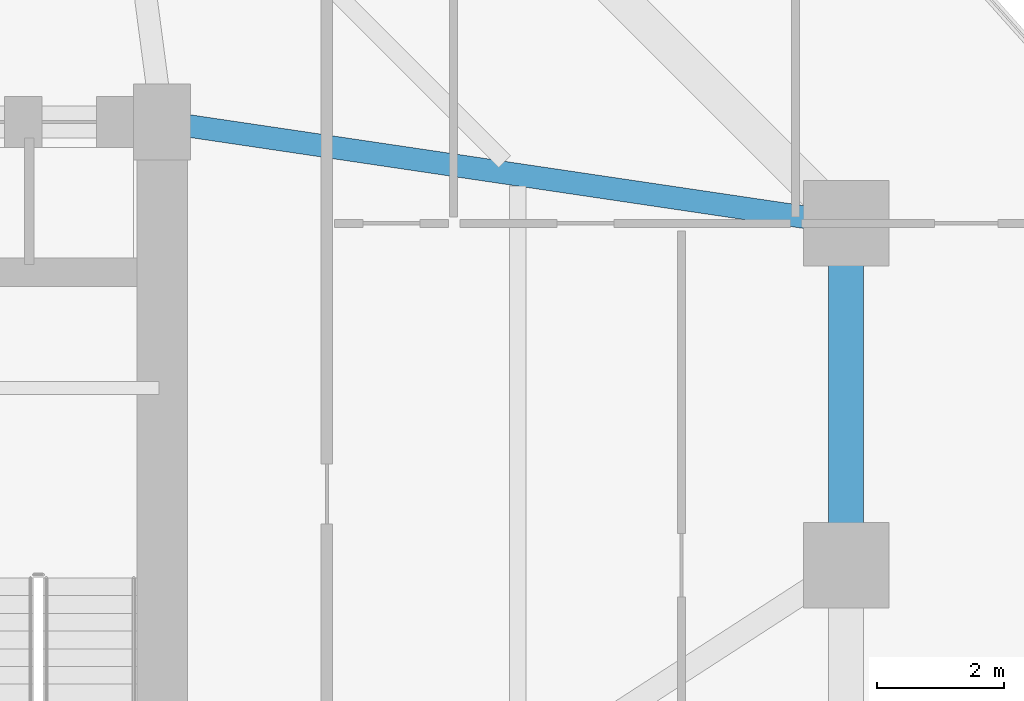
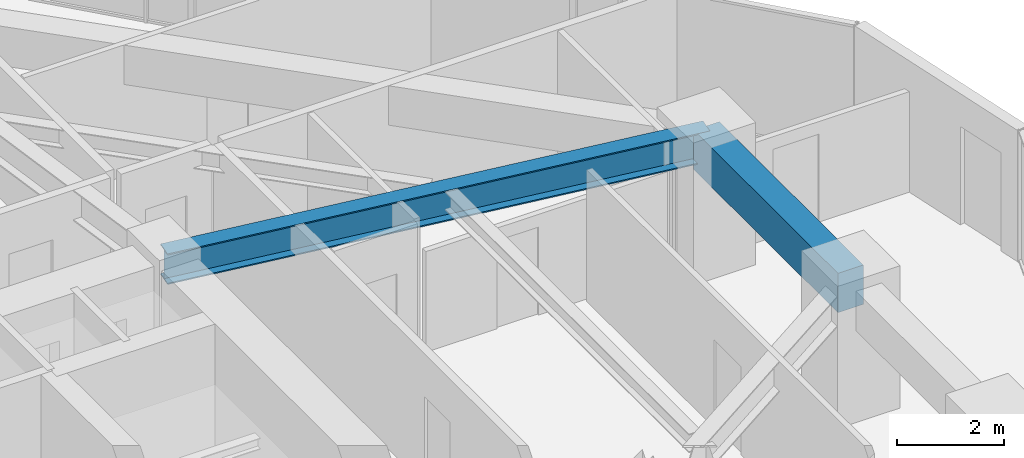
# One storey, part 19 of 38: 2 beams.
"""IFC4 building model written with IfcOpenShell, lengths in metres."""

from ifc_helpers import new_model, si_unit, direction, frame, origin, origin_2d, place, context, subcontext, project, spatial, rectangle, i_section, extrude, material, material_profile, profile_set, type_object, element, save


model = new_model("IFC4")

# Units and contexts
model_context = context("Model", 3, precision=1e-05, world=origin(), true_north=direction((0.0, 1.0)))
body_context = subcontext(model_context, "Body", "Model", "MODEL_VIEW")
ifc_project = project(units=[si_unit("LENGTHUNIT", "METRE"), si_unit("AREAUNIT", "SQUARE_METRE"), si_unit("VOLUMEUNIT", "CUBIC_METRE"), si_unit("PLANEANGLEUNIT", "RADIAN"), si_unit("MASSUNIT", "GRAM", prefix="KILO")], contexts=[model_context])

# Site, building, storey
site_placement = place(None, origin())
site = spatial("IfcSite", under=ifc_project, at=site_placement, CompositionType="ELEMENT")
building_placement = place(site_placement, origin())
building = spatial("IfcBuilding", under=site, at=building_placement, Name="Veraguas Prism Commons", CompositionType="ELEMENT")
storey_placement = place(building_placement, frame((0.0, 0.0, 64.10009765625)))
storey = spatial("IfcBuildingStorey", under=building, at=storey_placement, Name="L17", CompositionType="ELEMENT", Elevation=64.10009765625)

# Beams
ifc_material_1 = material(Name="Concrete C50/60", Category="concrete")
ifc_material_profile_1 = material_profile(ifc_material_1, rectangle(XDim=0.550048828125, YDim=0.89990234375, at=origin_2d()), Name="RC550X900")
ifc_profile_set_1 = profile_set([ifc_material_profile_1], Name="Concrete C50/60")
beam_type_1 = type_object("IfcBeamType", Name="Perimeter Spandrel Lower RC 550x900", PredefinedType="SPANDREL", material=ifc_profile_set_1)
beam_1_placement = place(storey_placement, frame((41.60009765625, 24.0, 2.5498046875), z_axis=(0.0, 1.0, 0.0), x_axis=(-1.0, 0.0, 0.0)))
element("IfcBeam", 1, at=beam_1_placement, inside=storey, type_object=beam_type_1, Name="Perimeter Spandrel Beam L17-SP02", PredefinedType="SPANDREL", context=body_context, shape_type="SweptSolid", body=[
    extrude(rectangle(XDim=0.550048828125, YDim=0.89990234375, at=origin_2d()), origin(), (0.0, 0.0, 1.0), 5.39990234375),
])
ifc_material_2 = material(Name="Steel ASTM A992 Grade 50", Category="steel")
ifc_material_profile_2 = material_profile(ifc_material_2, i_section(OverallWidth=0.35595703125, OverallDepth=0.700927734375, WebThickness=0.016845703125, FlangeThickness=0.02734375, at=origin_2d()), Name="W690X240")
ifc_profile_set_2 = profile_set([ifc_material_profile_2], Name="Steel ASTM A992 Grade 50")
beam_type_2 = type_object("IfcBeamType", Name="Zone 1 Radial Girder W690x240", PredefinedType="BEAM", material=ifc_profile_set_2)
beam_2_placement = place(storey_placement, frame((41.60009765625, 29.39990234375, 2.6494140625), z_axis=(-0.989202261707, 0.146556765224, 0.0), x_axis=(-0.146556765224, -0.989202261707, 0.0)))
element("IfcBeam", 2, at=beam_2_placement, inside=storey, type_object=beam_type_2, Name="Radial Floor Girder L17-RD03", PredefinedType="BEAM", context=body_context, shape_type="SweptSolid", body=[
    extrude(i_section(OverallWidth=0.35595703125, OverallDepth=0.700927734375, WebThickness=0.016845703125, FlangeThickness=0.02734375, at=origin_2d()), origin(), (0.0, 0.0, 1.0), 10.91796875),
])

save(model, "model.ifc")
